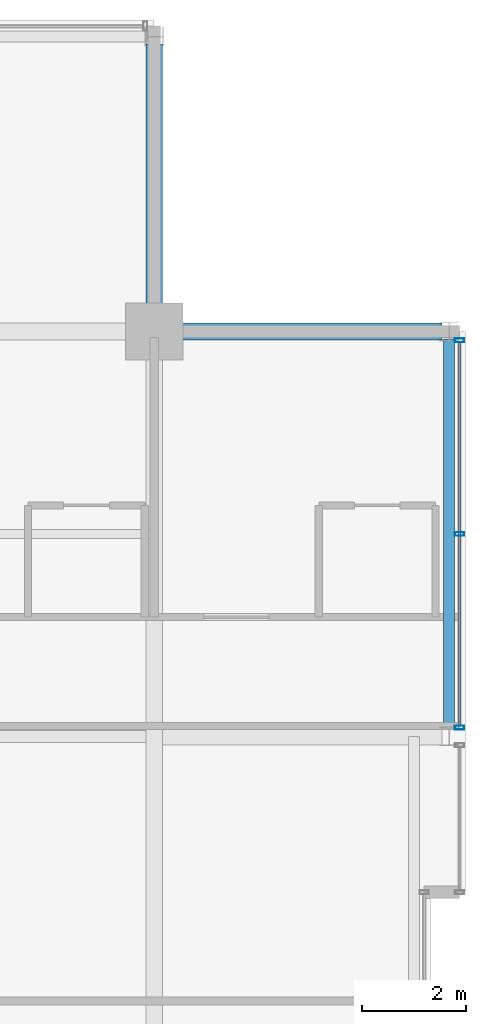
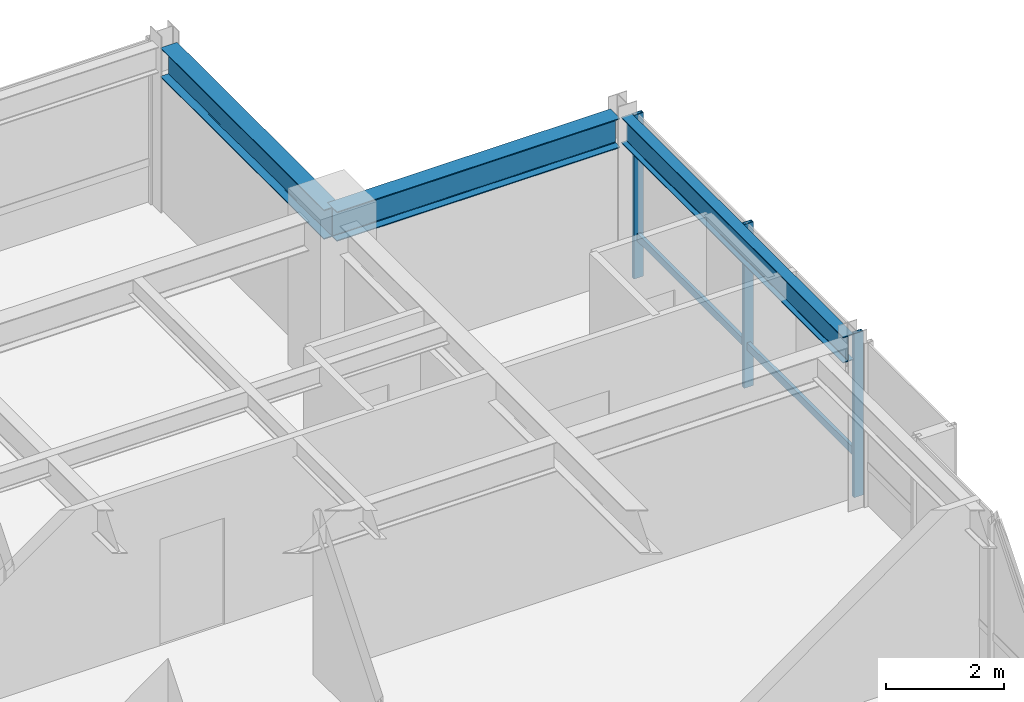
# One storey, part 25 of 34: 4 members, 3 beams, 1 element without a shape of its own.
"""IFC4 building model written with IfcOpenShell, lengths in metres."""

from ifc_helpers import new_model, si_unit, direction, frame, origin, origin_2d, place, context, subcontext, project, spatial, hollow_rectangle, i_section, extrude, material, layer, layer_set, material_profile, profile_set, type_object, element, aggregate, save


model = new_model("IFC4")

# Units and contexts
model_context = context("Model", 3, precision=1e-05, world=origin(), true_north=direction((0.0, 1.0)))
body_context = subcontext(model_context, "Body", "Model", "MODEL_VIEW")
ifc_project = project(units=[si_unit("LENGTHUNIT", "METRE"), si_unit("AREAUNIT", "SQUARE_METRE"), si_unit("VOLUMEUNIT", "CUBIC_METRE"), si_unit("PLANEANGLEUNIT", "RADIAN"), si_unit("MASSUNIT", "GRAM", prefix="KILO")], contexts=[model_context])

# Site, building, storey
site_placement = place(None, origin())
site = spatial("IfcSite", under=ifc_project, at=site_placement, CompositionType="ELEMENT")
building_placement = place(site_placement, origin())
building = spatial("IfcBuilding", under=site, at=building_placement, Name="Drelvath Grand Hotel", CompositionType="ELEMENT")
storey_placement = place(building_placement, frame((0.0, 0.0, 286.89990234375)))
storey = spatial("IfcBuildingStorey", under=building, at=storey_placement, Name="L75", CompositionType="ELEMENT", Elevation=286.89990234375)

# Curtain wall, members
ifc_material_1 = material(Name="Platinum-Mist Anodised Aluminium Frame", Category="aluminium")
ifc_layer = layer(ifc_material_1, 0.199951171875)
ifc_layer_set = layer_set([ifc_layer], Name="Platinum-Mist Anodised Aluminium Frame")
curtain_wall_type = type_object("IfcCurtainWallType", Name="Stick Curtain Wall CW-05 Platinum Mist High-Rise", PredefinedType="NOTDEFINED", material=ifc_layer_set)
curtain_wall_placement = place(storey_placement, origin())
curtain_wall = element("IfcCurtainWall", 1, at=curtain_wall_placement, inside=storey, type_object=curtain_wall_type, Name="L75 CW-05 Curtain Wall CW05-L75-EN2", PredefinedType="NOTDEFINED")
ifc_material_profile_1 = material_profile(ifc_material_1, hollow_rectangle(XDim=0.06494140625, YDim=0.159912109375, WallThickness=0.00390625, at=origin_2d()), Name="HSS160X65X4")
ifc_profile_set_1 = profile_set([ifc_material_profile_1], Name="Platinum-Mist Anodised Aluminium Frame")
member_type_1 = type_object("IfcMemberType", Name="Curtain Wall Horizontal Transom CW-05 HSS160X65X4", PredefinedType="USERDEFINED", material=ifc_profile_set_1)
member_1_placement = place(storey_placement, frame((22.080078125, 42.989990234375, 0.84765625), z_axis=(0.0, -1.0, 0.0), x_axis=(1.0, 0.0, 0.0)))
member_1 = element("IfcMember", 2, at=member_1_placement, type_object=member_type_1, Name="CW05-L75-EN2 Sill Transom", ObjectType="TRANSOM", PredefinedType="USERDEFINED", context=body_context, shape_type="SweptSolid", body=[
    extrude(hollow_rectangle(XDim=0.06494140625, YDim=0.159912109375, WallThickness=0.00390625, at=origin_2d()), origin(), (0.0, 0.0, 1.0), 7.3798828125),
])
ifc_material_profile_2 = material_profile(ifc_material_1, hollow_rectangle(XDim=0.074951171875, YDim=0.179931640625, WallThickness=0.0048828125, at=origin_2d()), Name="HSS180X75X5")
ifc_profile_set_2 = profile_set([ifc_material_profile_2], Name="Platinum-Mist Anodised Aluminium Frame")
member_type_2 = type_object("IfcMemberType", Name="Curtain Wall Vertical Mullion CW-05 HSS180X75X5", PredefinedType="MULLION", material=ifc_profile_set_2)
member_2_placement = place(storey_placement, frame((22.080078125, 43.030029296875, 0.0), z_axis=(0.0, 0.0, 1.0), x_axis=(0.0, 1.0, 0.0)))
member_2 = element("IfcMember", 3, at=member_2_placement, type_object=member_type_2, Name="CW05-L75-EN2 Mullion 1", PredefinedType="MULLION", context=body_context, shape_type="SweptSolid", body=[
    extrude(hollow_rectangle(XDim=0.074951171875, YDim=0.179931640625, WallThickness=0.0048828125, at=origin_2d()), origin(), (0.0, 0.0, 1.0), 3.39013671875),
])
member_3_placement = place(storey_placement, frame((22.080078125, 39.300048828125, 0.0), z_axis=(0.0, 0.0, 1.0), x_axis=(0.0, 1.0, 0.0)))
member_3 = element("IfcMember", 4, at=member_3_placement, type_object=member_type_2, Name="CW05-L75-EN2 Mullion 2", PredefinedType="MULLION", context=body_context, shape_type="SweptSolid", body=[
    extrude(hollow_rectangle(XDim=0.074951171875, YDim=0.179931640625, WallThickness=0.0048828125, at=origin_2d()), origin(), (0.0, 0.0, 1.0), 3.39013671875),
])
member_4_placement = place(storey_placement, frame((22.080078125, 35.570068359375, 0.0), z_axis=(0.0, 0.0, 1.0), x_axis=(0.0, 1.0, 0.0)))
member_4 = element("IfcMember", 5, at=member_4_placement, type_object=member_type_2, Name="CW05-L75-EN2 Mullion 3", PredefinedType="MULLION", context=body_context, shape_type="SweptSolid", body=[
    extrude(hollow_rectangle(XDim=0.074951171875, YDim=0.179931640625, WallThickness=0.0048828125, at=origin_2d()), origin(), (0.0, 0.0, 1.0), 3.39013671875),
])
aggregate(curtain_wall, [member_2, member_3, member_4, member_1])

# Beams
ifc_material_2 = material(Name="Steel ASTM A992 Gr 50", Category="steel")
ifc_material_profile_3 = material_profile(ifc_material_2, i_section(OverallWidth=0.210205078125, OverallDepth=0.53662109375, WebThickness=0.010986328125, FlangeThickness=0.017333984375, FilletRadius=0.01806640625, at=origin_2d()), Name="W21X68")
ifc_profile_set_3 = profile_set([ifc_material_profile_3], Name="Steel ASTM A992 Gr 50")
beam_type_1 = type_object("IfcBeamType", Name="Perimeter Spandrel Beam W21X68", PredefinedType="SPANDREL", material=ifc_profile_set_3)
beam_placement = place(storey_placement, frame((21.8798828125, 35.5400390625, 3.121826171875), z_axis=(0.0, 1.0, 0.0), x_axis=(-1.0, 0.0, 0.0)))
element("IfcBeam", 6, at=beam_placement, inside=storey, type_object=beam_type_1, Name="L75 Spandrel East N", PredefinedType="SPANDREL", context=body_context, shape_type="SweptSolid", body=[
    extrude(i_section(OverallWidth=0.210205078125, OverallDepth=0.53662109375, WebThickness=0.010986328125, FlangeThickness=0.017333984375, FilletRadius=0.01806640625, at=origin_2d()), origin(), (0.0, 0.0, 1.0), 7.52001953125),
])
ifc_material_profile_4 = material_profile(ifc_material_2, i_section(OverallWidth=0.323974609375, OverallDepth=0.611083984375, WebThickness=0.0126953125, FlangeThickness=0.01904296875, FilletRadius=0.02197265625, at=origin_2d()), Name="W24X104")
ifc_profile_set_4 = profile_set([ifc_material_profile_4], Name="Steel ASTM A992 Gr 50")
beam_type_2 = type_object("IfcBeamType", Name="Primary Floor Girder W24X104", PredefinedType="BEAM", material=ifc_profile_set_4)
for number, where, z_axis, x_axis, name in (
    (7, (16.199951171875, 43.199951171875, 3.084716796875), (1.0, 0.0, 0.0), (0.0, 1.0, 0.0), "L75 East Grid Girder G"),
    (8, (16.199951171875, 43.199951171875, 3.084716796875), (0.0, 1.0, 0.0), (-1.0, 0.0, 0.0), "L75 North Grid Girder 7"),
):
    element("IfcBeam", number, at=place(storey_placement, frame(where, z_axis=z_axis, x_axis=x_axis)), inside=storey, type_object=beam_type_2, Name=name, PredefinedType="BEAM", context=body_context, shape_type="SweptSolid", body=[
        extrude(i_section(OverallWidth=0.323974609375, OverallDepth=0.611083984375, WebThickness=0.0126953125, FlangeThickness=0.01904296875, FilletRadius=0.02197265625, at=origin_2d()), origin(), (0.0, 0.0, 1.0), 5.5400390625),
    ])

save(model, "model.ifc")
